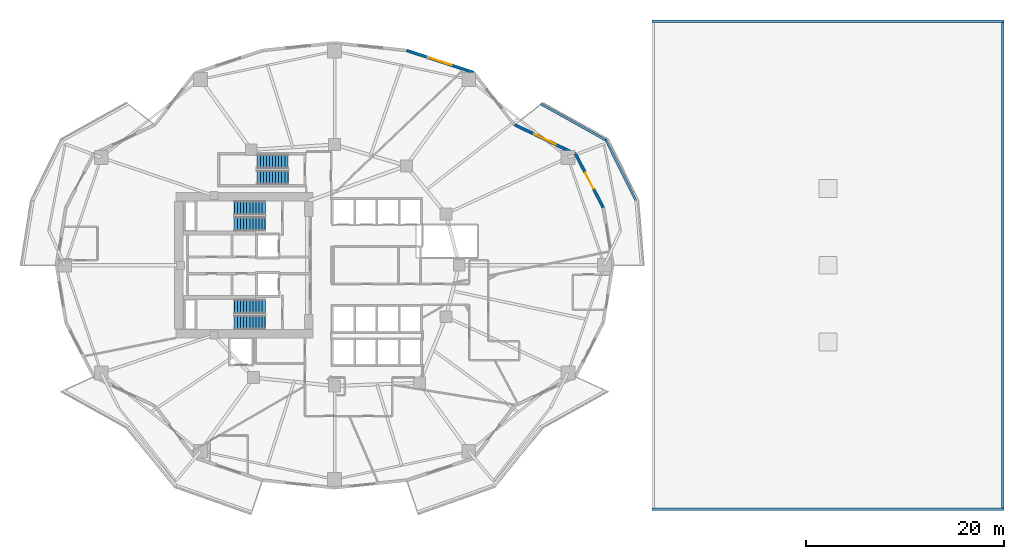
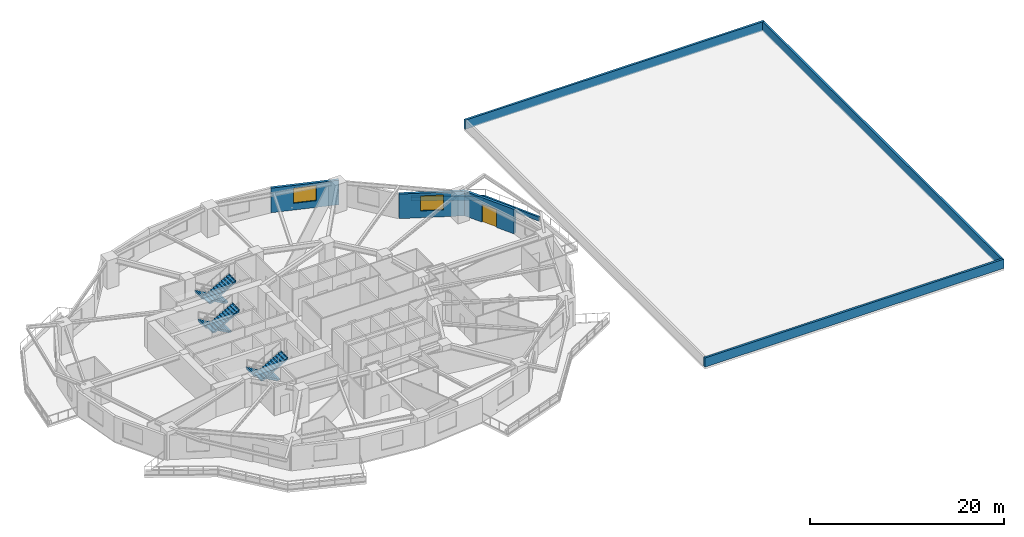
# One storey, part 7 of 13: 8 walls, 6 stair flights, 2 windows, 1 door, 3 openings, 3 elements without a shape of their own.
"""IFC4 building model written with IfcOpenShell, lengths in metres."""

from ifc_helpers import new_model, si_unit, direction, frame, frame_2d, origin, place, context, subcontext, project, spatial, polyline, rectangle, outline, extrude, material, layer, layer_set, type_object, element, fill, aggregate, save


model = new_model("IFC4")

# Units and contexts
model_context = context("Model", 3, precision=1e-05, world=origin(), true_north=direction((0.0, 1.0)))
body_context = subcontext(model_context, "Body", "Model", "MODEL_VIEW")
ifc_project = project(units=[si_unit("LENGTHUNIT", "METRE"), si_unit("AREAUNIT", "SQUARE_METRE"), si_unit("VOLUMEUNIT", "CUBIC_METRE"), si_unit("PLANEANGLEUNIT", "RADIAN"), si_unit("MASSUNIT", "GRAM", prefix="KILO")], contexts=[model_context])

# Site, building, storey
site_placement = place(None, origin())
site = spatial("IfcSite", under=ifc_project, at=site_placement, CompositionType="ELEMENT")
building_placement = place(site_placement, origin())
building = spatial("IfcBuilding", under=site, at=building_placement, Name="Kolvaren Gate Tower and Convention Centre", CompositionType="ELEMENT")
storey_placement = place(building_placement, frame((0.0, 0.0, 26.5)))
storey = spatial("IfcBuildingStorey", under=building, at=storey_placement, Name="L05", CompositionType="ELEMENT", Elevation=26.5)

# Walls
ifc_material_1 = material(Name="Piedmont Cream Honed Limestone Cladding", Category="masonry")
ifc_layer_1 = layer(ifc_material_1, 0.25)
ifc_layer_set_1 = layer_set([ifc_layer_1], Name="Piedmont Cream Honed Limestone Cladding")
wall_type_1 = type_object("IfcWallType", Name="ARCH-WL-PARAPET-250", PredefinedType="PARAPET", material=ifc_layer_set_1)
for number, where, z_axis, x_axis, name in (
    (1, (62.199951171875, 51.675048828125, 0.0), (0.0, 0.0, 1.0), (1.0, 0.0, 0.0), "Convention Roof Stone Parapet N"),
    (2, (62.199951171875, 2.324951171875, 0.0), (0.0, 0.0, 1.0), (1.0, 0.0, 0.0), "Convention Roof Stone Parapet S"),
):
    element("IfcWall", number, at=place(storey_placement, frame(where, z_axis=z_axis, x_axis=x_axis)), inside=storey, type_object=wall_type_1, Name=name, PredefinedType="PARAPET", context=body_context, shape_type="SweptSolid", body=[
        extrude(rectangle(XDim=35.60009765625, YDim=0.25, at=frame_2d((17.800048828125, 0.0))), origin(), (0.0, 0.0, 1.0), 1.14990234375),
    ])
wall_1_placement = place(storey_placement, frame((97.675048828125, 2.199951171875, 0.0), z_axis=(0.0, 0.0, 1.0), x_axis=(0.0, 1.0, 0.0)))
element("IfcWall", 3, at=wall_1_placement, inside=storey, type_object=wall_type_1, Name="Convention Roof Stone Parapet E", PredefinedType="PARAPET", context=body_context, shape_type="SweptSolid", body=[
    extrude(rectangle(XDim=49.60009765625, YDim=0.25, at=frame_2d((24.800048828125, 0.0))), origin(), (0.0, 0.0, 1.0), 1.14990234375),
])
ifc_layer_2 = layer(ifc_material_1, 0.219970703125)
ifc_layer_set_2 = layer_set([ifc_layer_2], Name="Piedmont Cream Honed Limestone Cladding")
wall_type_2 = type_object("IfcWallType", Name="ARCH-WL-PLANTER-220", PredefinedType="PARAPET", material=ifc_layer_set_2)
wall_2_placement = place(storey_placement, frame((57.538818359375, 39.696533203125, 0.0), z_axis=(0.0, 0.0, 1.0), x_axis=(0.443578479433, -0.8962355341, 0.0)))
element("IfcWall", 4, at=wall_2_placement, inside=storey, type_object=wall_type_2, Name="Vertical-Forest Balcony Stone Planter Kerb PK-L05-1.2", PredefinedType="PARAPET", context=body_context, shape_type="SweptSolid", body=[
    extrude(rectangle(XDim=6.9111328125, YDim=0.219970703125, at=frame_2d((3.45556640625, 0.0))), origin(), (0.0, 0.0, 1.0), 0.52001953125),
])
wall_3_placement = place(storey_placement, frame((50.959228515625, 43.322021484375, 0.0), z_axis=(0.0, 0.0, 1.0), x_axis=(0.873500119739, -0.48682393205, 0.0)))
element("IfcWall", 5, at=wall_3_placement, inside=storey, type_object=wall_type_2, Name="Vertical-Forest Balcony Stone Planter Kerb PK-L05-1.3", PredefinedType="PARAPET", context=body_context, shape_type="SweptSolid", body=[
    extrude(rectangle(XDim=7.56201171875, YDim=0.219970703125, at=frame_2d((3.781005859375, 0.0))), origin(), (0.0, 0.0, 1.0), 0.52001953125),
])

# Wall, opening, door
ifc_layer_3 = layer(ifc_material_1, 0.300048828125)
ifc_layer_set_3 = layer_set([ifc_layer_3], Name="Piedmont Cream Honed Limestone Cladding")
wall_type_3 = type_object("IfcWallType", Name="ARCH-WL-STONE-300", PredefinedType="SOLIDWALL", material=ifc_layer_set_3)
wall_4_placement = place(storey_placement, frame((54.48193359375, 38.25, 0.0), z_axis=(0.0, 0.0, 1.0), x_axis=(0.459809804413, -0.88801742312, 0.0)))
wall_4 = element("IfcWall", 6, at=wall_4_placement, inside=storey, type_object=wall_type_3, Name="Tower L05 Honed Stone Spandrel Wall EW-01", PredefinedType="SOLIDWALL", context=body_context, shape_type="SweptSolid", body=[
    extrude(rectangle(XDim=6.11083984375, YDim=0.300048828125, at=frame_2d((3.055419921875, 0.0))), origin(), (0.0, 0.0, 1.0), 3.093017578125),
])
opening_1_placement = place(wall_4_placement, frame((2.155029296875, 0.0, 0.0)))
opening_1 = element("IfcOpeningElement", 7, at=opening_1_placement, cuts=wall_4, Name="Opening DB-01", PredefinedType="OPENING", context=body_context, shape_type="SweptSolid", body=[
    extrude(rectangle(XDim=1.800048828125, YDim=2.25, at=frame_2d((0.89990234375, 1.125))), frame((0.0, 0.159912109375, 0.0), z_axis=(0.0, -1.0, 0.0), x_axis=(1.0, 0.0, 0.0)), (0.0, 0.0, 1.0), 0.320068359375),
])
ifc_material_2 = material(Name="Anodized Architectural Aluminium Alloy 6063-T6", Category="aluminium")
door_type = type_object("IfcDoorType", Name="ARCH-DR-BALC-1800", OperationType="SLIDING_TO_LEFT", PredefinedType="DOOR", material=ifc_material_2)
door_placement = place(opening_1_placement, origin())
door = element("IfcDoor", 8, at=door_placement, inside=storey, type_object=door_type, Name="Planted Sky Terrace Access Door DB-L05-01", OperationType="SLIDING_TO_LEFT", OverallHeight=2.25, OverallWidth=1.800048828125, PredefinedType="DOOR", context=body_context, shape_type="SweptSolid", body=[
    extrude(rectangle(XDim=1.800048828125, YDim=2.25, at=frame_2d((0.89990234375, 1.125))), frame((0.0, 0.02490234375, 0.0), z_axis=(0.0, -1.0, 0.0), x_axis=(1.0, 0.0, 0.0)), (0.0, 0.0, 1.0), 0.050048828125),
])
fill(opening_1, door)

# Wall, opening, window
wall_5_placement = place(storey_placement, frame((48.315185546875, 41.212890625, 0.0), z_axis=(0.0, 0.0, 1.0), x_axis=(0.901360393999, -0.433069786673, 0.0)))
wall_5 = element("IfcWall", 9, at=wall_5_placement, inside=storey, type_object=wall_type_3, Name="Tower L05 Honed Stone Spandrel Wall EW-02", PredefinedType="SOLIDWALL", context=body_context, shape_type="SweptSolid", body=[
    extrude(rectangle(XDim=6.841552734375, YDim=0.300048828125, at=frame_2d((3.4208984375, 0.0))), origin(), (0.0, 0.0, 1.0), 3.093017578125),
])
opening_2_placement = place(wall_5_placement, frame((2.220947265625, 0.0, 0.85009765625)))
opening_2 = element("IfcOpeningElement", 10, at=opening_2_placement, cuts=wall_5, Name="Opening W-01", PredefinedType="OPENING", context=body_context, shape_type="SweptSolid", body=[
    extrude(rectangle(XDim=2.39990234375, YDim=1.89990234375, at=frame_2d((1.199951171875, 0.949951171875))), frame((0.0, 0.159912109375, 0.0), z_axis=(0.0, -1.0, 0.0), x_axis=(1.0, 0.0, 0.0)), (0.0, 0.0, 1.0), 0.320068359375),
])
ifc_material_3 = material(Name="Low-E Triple Insulated Glazing Unit 44 mm", Category="glass")
window_type = type_object("IfcWindowType", Name="ARCH-WN-OFF-2400", PartitioningType="SINGLE_PANEL", PredefinedType="WINDOW", material=ifc_material_3)
window_1_placement = place(opening_2_placement, origin())
window_1 = element("IfcWindow", 11, at=window_1_placement, inside=storey, type_object=window_type, Name="Tower L05 Punched Stone Facade Window W-02", OverallHeight=1.89990234375, OverallWidth=2.39990234375, PartitioningType="SINGLE_PANEL", PredefinedType="WINDOW", context=body_context, shape_type="SweptSolid", body=[
    extrude(rectangle(XDim=2.39990234375, YDim=1.89990234375, at=frame_2d((1.199951171875, 0.949951171875))), frame((0.0, 0.030029296875, 0.0), z_axis=(0.0, -1.0, 0.0), x_axis=(1.0, 0.0, 0.0)), (0.0, 0.0, 1.0), 0.06005859375),
])
fill(opening_2, window_1)

wall_6_placement = place(storey_placement, frame((37.404296875, 48.7333984375, 0.0), z_axis=(0.0, 0.0, 1.0), x_axis=(0.949238715533, -0.31455661006, 0.0)))
wall_6 = element("IfcWall", 12, at=wall_6_placement, inside=storey, type_object=wall_type_3, Name="Tower L05 Honed Stone Spandrel Wall EW-04", PredefinedType="SOLIDWALL", context=body_context, shape_type="SweptSolid", body=[
    extrude(rectangle(XDim=7.14599609375, YDim=0.300048828125, at=frame_2d((3.572998046875, 0.0))), origin(), (0.0, 0.0, 1.0), 3.093017578125),
])
opening_3_placement = place(wall_6_placement, frame((2.373046875, 0.0, 0.85009765625)))
opening_3 = element("IfcOpeningElement", 13, at=opening_3_placement, cuts=wall_6, Name="Opening W-01", PredefinedType="OPENING", context=body_context, shape_type="SweptSolid", body=[
    extrude(rectangle(XDim=2.39990234375, YDim=1.89990234375, at=frame_2d((1.199951171875, 0.949951171875))), frame((0.0, 0.159912109375, 0.0), z_axis=(0.0, -1.0, 0.0), x_axis=(1.0, 0.0, 0.0)), (0.0, 0.0, 1.0), 0.320068359375),
])
window_2_placement = place(opening_3_placement, origin())
window_2 = element("IfcWindow", 14, at=window_2_placement, inside=storey, type_object=window_type, Name="Tower L05 Punched Stone Facade Window W-04", OverallHeight=1.89990234375, OverallWidth=2.39990234375, PartitioningType="SINGLE_PANEL", PredefinedType="WINDOW", context=body_context, shape_type="SweptSolid", body=[
    extrude(rectangle(XDim=2.39990234375, YDim=1.89990234375, at=frame_2d((1.199951171875, 0.949951171875))), frame((0.0, 0.030029296875, 0.0), z_axis=(0.0, -1.0, 0.0), x_axis=(1.0, 0.0, 0.0)), (0.0, 0.0, 1.0), 0.06005859375),
])
fill(opening_3, window_2)

# Stair, stair flights
ifc_material_4 = material(Name="Concrete C50/60", Category="concrete")
stair_type = type_object("IfcStairType", Name="STR-STAIR-CORE", PredefinedType="HALF_TURN_STAIR", material=ifc_material_4)
stair_1_placement = place(storey_placement, origin())
stair_1 = element("IfcStair", 15, at=stair_1_placement, inside=storey, type_object=stair_type, Name="L05 Tower North Exit Stair ST-T1", PredefinedType="HALF_TURN_STAIR")
stair_flight_type = type_object("IfcStairFlightType", Name="STR-SFL-1420", PredefinedType="STRAIGHT", material=ifc_material_4)
stair_flight_1_placement = place(storey_placement, frame((23.10009765625, 32.7900390625, 0.0), z_axis=(0.0, 0.0, 1.0), x_axis=(-1.0, 0.0, 0.0)))
stair_flight_1 = element("IfcStairFlight", 16, at=stair_flight_1_placement, type_object=stair_flight_type, Name="ST-T1 flight 1", NumberOfRisers=11, NumberOfTreads=10, PredefinedType="STRAIGHT", RiserHeight=0.175, TreadLength=0.31, context=body_context, shape_type="SweptSolid", body=[
    extrude(outline(polyline([(-0.034912109375, 0.0), (-0.034912109375, 0.175048828125), (0.31005859375, 0.175048828125), (0.31005859375, 0.35009765625), (0.6201171875, 0.35009765625), (0.6201171875, 0.52490234375), (0.929931640625, 0.52490234375), (0.929931640625, 0.699951171875), (1.239990234375, 0.699951171875), (1.239990234375, 0.875), (1.550048828125, 0.875), (1.550048828125, 1.050048828125), (1.860107421875, 1.050048828125), (1.860107421875, 1.22509765625), (2.169921875, 1.22509765625), (2.169921875, 1.39990234375), (2.47998046875, 1.39990234375), (2.47998046875, 1.574951171875), (2.7900390625, 1.574951171875), (2.7900390625, 1.75), (3.10009765625, 1.75), (3.10009765625, 1.925048828125), (3.14501953125, 1.925048828125), (3.14501953125, 1.764892578125), (3.10009765625, 1.577880859375), (0.304931640625, 0.0), (-0.034912109375, 0.0)])), frame((0.0, 0.7099609375, 0.0), z_axis=(0.0, -1.0, 0.0), x_axis=(1.0, 0.0, 0.0)), (0.0, 0.0, 1.0), 1.419921875),
])
stair_flight_2_placement = place(storey_placement, frame((20.0, 31.169921875, 1.925048828125), z_axis=(0.0, 0.0, 1.0), x_axis=(1.0, 0.0, 0.0)))
stair_flight_2 = element("IfcStairFlight", 17, at=stair_flight_2_placement, type_object=stair_flight_type, Name="ST-T1 flight 2", NumberOfRisers=11, NumberOfTreads=10, PredefinedType="STRAIGHT", RiserHeight=0.175, TreadLength=0.31, context=body_context, shape_type="SweptSolid", body=[
    extrude(outline(polyline([(-0.034912109375, 0.0), (-0.034912109375, 0.175048828125), (0.31005859375, 0.175048828125), (0.31005859375, 0.35009765625), (0.6201171875, 0.35009765625), (0.6201171875, 0.52490234375), (0.929931640625, 0.52490234375), (0.929931640625, 0.699951171875), (1.239990234375, 0.699951171875), (1.239990234375, 0.875), (1.550048828125, 0.875), (1.550048828125, 1.050048828125), (1.860107421875, 1.050048828125), (1.860107421875, 1.22509765625), (2.169921875, 1.22509765625), (2.169921875, 1.39990234375), (2.47998046875, 1.39990234375), (2.47998046875, 1.574951171875), (2.7900390625, 1.574951171875), (2.7900390625, 1.75), (3.10009765625, 1.75), (3.10009765625, 1.925048828125), (3.14501953125, 1.925048828125), (3.14501953125, 1.764892578125), (3.10009765625, 1.577880859375), (0.304931640625, 0.0), (-0.034912109375, 0.0)])), frame((0.0, 0.7099609375, 0.0), z_axis=(0.0, -1.0, 0.0), x_axis=(1.0, 0.0, 0.0)), (0.0, 0.0, 1.0), 1.419921875),
])
aggregate(stair_1, [stair_flight_1, stair_flight_2])

stair_2_placement = place(storey_placement, origin())
stair_2 = element("IfcStair", 18, at=stair_2_placement, inside=storey, type_object=stair_type, Name="L05 Tower South Exit Stair ST-T2", PredefinedType="HALF_TURN_STAIR")
stair_flight_3_placement = place(storey_placement, frame((23.10009765625, 22.830078125, 0.0), z_axis=(0.0, 0.0, 1.0), x_axis=(-1.0, 0.0, 0.0)))
stair_flight_3 = element("IfcStairFlight", 19, at=stair_flight_3_placement, type_object=stair_flight_type, Name="ST-T2 flight 1", NumberOfRisers=11, NumberOfTreads=10, PredefinedType="STRAIGHT", RiserHeight=0.175, TreadLength=0.31, context=body_context, shape_type="SweptSolid", body=[
    extrude(outline(polyline([(-0.034912109375, 0.0), (-0.034912109375, 0.175048828125), (0.31005859375, 0.175048828125), (0.31005859375, 0.35009765625), (0.6201171875, 0.35009765625), (0.6201171875, 0.52490234375), (0.929931640625, 0.52490234375), (0.929931640625, 0.699951171875), (1.239990234375, 0.699951171875), (1.239990234375, 0.875), (1.550048828125, 0.875), (1.550048828125, 1.050048828125), (1.860107421875, 1.050048828125), (1.860107421875, 1.22509765625), (2.169921875, 1.22509765625), (2.169921875, 1.39990234375), (2.47998046875, 1.39990234375), (2.47998046875, 1.574951171875), (2.7900390625, 1.574951171875), (2.7900390625, 1.75), (3.10009765625, 1.75), (3.10009765625, 1.925048828125), (3.14501953125, 1.925048828125), (3.14501953125, 1.764892578125), (3.10009765625, 1.577880859375), (0.304931640625, 0.0), (-0.034912109375, 0.0)])), frame((0.0, 0.7099609375, 0.0), z_axis=(0.0, -1.0, 0.0), x_axis=(1.0, 0.0, 0.0)), (0.0, 0.0, 1.0), 1.419921875),
])
stair_flight_4_placement = place(storey_placement, frame((20.0, 21.2099609375, 1.925048828125), z_axis=(0.0, 0.0, 1.0), x_axis=(1.0, 0.0, 0.0)))
stair_flight_4 = element("IfcStairFlight", 20, at=stair_flight_4_placement, type_object=stair_flight_type, Name="ST-T2 flight 2", NumberOfRisers=11, NumberOfTreads=10, PredefinedType="STRAIGHT", RiserHeight=0.175, TreadLength=0.31, context=body_context, shape_type="SweptSolid", body=[
    extrude(outline(polyline([(-0.034912109375, 0.0), (-0.034912109375, 0.175048828125), (0.31005859375, 0.175048828125), (0.31005859375, 0.35009765625), (0.6201171875, 0.35009765625), (0.6201171875, 0.52490234375), (0.929931640625, 0.52490234375), (0.929931640625, 0.699951171875), (1.239990234375, 0.699951171875), (1.239990234375, 0.875), (1.550048828125, 0.875), (1.550048828125, 1.050048828125), (1.860107421875, 1.050048828125), (1.860107421875, 1.22509765625), (2.169921875, 1.22509765625), (2.169921875, 1.39990234375), (2.47998046875, 1.39990234375), (2.47998046875, 1.574951171875), (2.7900390625, 1.574951171875), (2.7900390625, 1.75), (3.10009765625, 1.75), (3.10009765625, 1.925048828125), (3.14501953125, 1.925048828125), (3.14501953125, 1.764892578125), (3.10009765625, 1.577880859375), (0.304931640625, 0.0), (-0.034912109375, 0.0)])), frame((0.0, 0.7099609375, 0.0), z_axis=(0.0, -1.0, 0.0), x_axis=(1.0, 0.0, 0.0)), (0.0, 0.0, 1.0), 1.419921875),
])
aggregate(stair_2, [stair_flight_3, stair_flight_4])

stair_3_placement = place(storey_placement, origin())
stair_3 = element("IfcStair", 21, at=stair_3_placement, inside=storey, type_object=stair_type, Name="L05 Tower Mid-Zone Exit Stair ST-T3", PredefinedType="HALF_TURN_STAIR")
stair_flight_5_placement = place(storey_placement, frame((25.39990234375, 37.489990234375, 0.0), z_axis=(0.0, 0.0, 1.0), x_axis=(-1.0, 0.0, 0.0)))
stair_flight_5 = element("IfcStairFlight", 22, at=stair_flight_5_placement, type_object=stair_flight_type, Name="ST-T3 flight 1", NumberOfRisers=11, NumberOfTreads=10, PredefinedType="STRAIGHT", RiserHeight=0.175, TreadLength=0.31, context=body_context, shape_type="SweptSolid", body=[
    extrude(outline(polyline([(-0.034912109375, 0.0), (-0.034912109375, 0.175048828125), (0.31005859375, 0.175048828125), (0.31005859375, 0.35009765625), (0.6201171875, 0.35009765625), (0.6201171875, 0.52490234375), (0.929931640625, 0.52490234375), (0.929931640625, 0.699951171875), (1.239990234375, 0.699951171875), (1.239990234375, 0.875), (1.550048828125, 0.875), (1.550048828125, 1.050048828125), (1.860107421875, 1.050048828125), (1.860107421875, 1.22509765625), (2.169921875, 1.22509765625), (2.169921875, 1.39990234375), (2.47998046875, 1.39990234375), (2.47998046875, 1.574951171875), (2.7900390625, 1.574951171875), (2.7900390625, 1.75), (3.10009765625, 1.75), (3.10009765625, 1.925048828125), (3.14501953125, 1.925048828125), (3.14501953125, 1.764892578125), (3.10009765625, 1.577880859375), (0.304931640625, 0.0), (-0.034912109375, 0.0)])), frame((0.0, 0.7099609375, 0.0), z_axis=(0.0, -1.0, 0.0), x_axis=(1.0, 0.0, 0.0)), (0.0, 0.0, 1.0), 1.419921875),
])
stair_flight_6_placement = place(storey_placement, frame((22.300048828125, 35.8701171875, 1.925048828125), z_axis=(0.0, 0.0, 1.0), x_axis=(1.0, 0.0, 0.0)))
stair_flight_6 = element("IfcStairFlight", 23, at=stair_flight_6_placement, type_object=stair_flight_type, Name="ST-T3 flight 2", NumberOfRisers=11, NumberOfTreads=10, PredefinedType="STRAIGHT", RiserHeight=0.175, TreadLength=0.31, context=body_context, shape_type="SweptSolid", body=[
    extrude(outline(polyline([(-0.034912109375, 0.0), (-0.034912109375, 0.175048828125), (0.31005859375, 0.175048828125), (0.31005859375, 0.35009765625), (0.6201171875, 0.35009765625), (0.6201171875, 0.52490234375), (0.929931640625, 0.52490234375), (0.929931640625, 0.699951171875), (1.239990234375, 0.699951171875), (1.239990234375, 0.875), (1.550048828125, 0.875), (1.550048828125, 1.050048828125), (1.860107421875, 1.050048828125), (1.860107421875, 1.22509765625), (2.169921875, 1.22509765625), (2.169921875, 1.39990234375), (2.47998046875, 1.39990234375), (2.47998046875, 1.574951171875), (2.7900390625, 1.574951171875), (2.7900390625, 1.75), (3.10009765625, 1.75), (3.10009765625, 1.925048828125), (3.14501953125, 1.925048828125), (3.14501953125, 1.764892578125), (3.10009765625, 1.577880859375), (0.304931640625, 0.0), (-0.034912109375, 0.0)])), frame((0.0, 0.7099609375, 0.0), z_axis=(0.0, -1.0, 0.0), x_axis=(1.0, 0.0, 0.0)), (0.0, 0.0, 1.0), 1.419921875),
])
aggregate(stair_3, [stair_flight_5, stair_flight_6])

save(model, "model.ifc")
